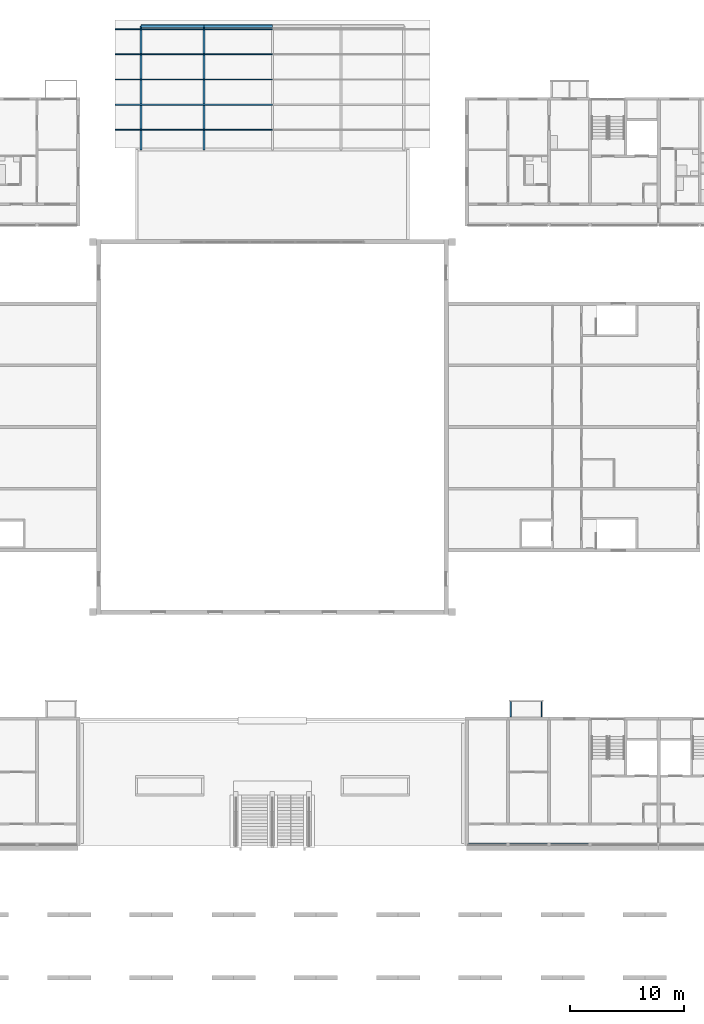
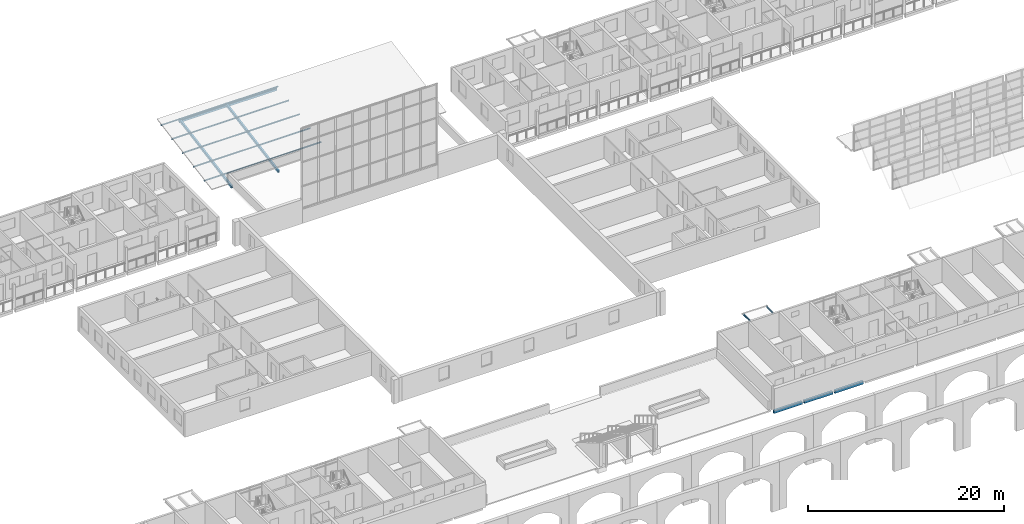
# One storey, part 20 of 122: 9 beams, 5 members.
"""IFC4 building model written with IfcOpenShell, lengths in metres."""

from ifc_helpers import new_model, si_unit, direction, frame, origin, origin_2d, place, context, subcontext, project, spatial, rectangle, hollow_rectangle, i_section, extrude, material, material_profile, profile_set, type_object, element, save


model = new_model("IFC4")

# Units and contexts
model_context = context("Model", 3, precision=1e-05, world=origin(), true_north=direction((0.0, 1.0)))
body_context = subcontext(model_context, "Body", "Model", "MODEL_VIEW")
ifc_project = project(units=[si_unit("LENGTHUNIT", "METRE"), si_unit("AREAUNIT", "SQUARE_METRE"), si_unit("VOLUMEUNIT", "CUBIC_METRE"), si_unit("PLANEANGLEUNIT", "RADIAN"), si_unit("MASSUNIT", "GRAM", prefix="KILO")], contexts=[model_context])

# Site, building, storey
site_placement = place(None, origin())
site = spatial("IfcSite", under=ifc_project, at=site_placement, CompositionType="ELEMENT")
building_placement = place(site_placement, origin())
building = spatial("IfcBuilding", under=site, at=building_placement, Name="Ridgestep Commons", CompositionType="ELEMENT")
storey_placement = place(building_placement, frame((0.0, 0.0, 3.0)))
storey = spatial("IfcBuildingStorey", under=building, at=storey_placement, Name="L01", CompositionType="ELEMENT", Elevation=3.0)

# Beams
ifc_material_1 = material(Name="Structural steel S355JR", Category="steel")
ifc_material_profile_1 = material_profile(ifc_material_1, hollow_rectangle(XDim=0.199951171875, YDim=0.300048828125, WallThickness=0.010009765625, at=origin_2d()), Name="RHS 300x200x10")
ifc_profile_set_1 = profile_set([ifc_material_profile_1], Name="Structural steel S355JR")
beam_type_1 = type_object("IfcBeamType", Name="Canopy beam RHS 300 x 200 x 10", PredefinedType="BEAM", material=ifc_profile_set_1)
beam_1_placement = place(storey_placement, frame((118.300048828125, 83.505615234375, 2.382568359375), z_axis=(1.0, 0.0, 0.0), x_axis=(0.0, 0.984422707775, 0.175817895609)))
element("IfcBeam", 1, at=beam_1_placement, inside=storey, type_object=beam_type_1, Name="Canopy front beam", PredefinedType="BEAM", context=body_context, shape_type="SweptSolid", body=[
    extrude(hollow_rectangle(XDim=0.199951171875, YDim=0.300048828125, WallThickness=0.010009765625, at=origin_2d()), origin(), (0.0, 0.0, 1.0), 5.5),
])
beam_2_placement = place(storey_placement, frame((123.800048828125, 83.505615234375, 2.382568359375), z_axis=(1.0, 0.0, 0.0), x_axis=(0.0, 0.984422707775, 0.175817895609)))
element("IfcBeam", 2, at=beam_2_placement, inside=storey, type_object=beam_type_1, Name="Canopy front beam", PredefinedType="BEAM", context=body_context, shape_type="SweptSolid", body=[
    extrude(hollow_rectangle(XDim=0.199951171875, YDim=0.300048828125, WallThickness=0.010009765625, at=origin_2d()), origin(), (0.0, 0.0, 1.0), 6.0),
])
for number, where, z_axis, x_axis, name in (
    (3, (118.300048828125, 72.672607421875, 0.75244140625), (0.0, 0.98442302805, 0.175816102349), (-1.0, 0.0, 0.0), "Canopy main beam"),
    (4, (123.800048828125, 72.672607421875, 0.75244140625), (0.0, 0.98442302805, 0.175816102349), (-1.0, 0.0, 0.0), "Canopy main beam"),
):
    element("IfcBeam", number, at=place(storey_placement, frame(where, z_axis=z_axis, x_axis=x_axis)), inside=storey, type_object=beam_type_1, Name=name, PredefinedType="BEAM", context=body_context, shape_type="SweptSolid", body=[
        extrude(hollow_rectangle(XDim=0.199951171875, YDim=0.300048828125, WallThickness=0.010009765625, at=origin_2d()), origin(), (0.0, 0.0, 1.0), 10.95068359375),
    ])

# Members
ifc_material_2 = material(Name="Structural steel S355JR", Category="steel")
ifc_material_profile_2 = material_profile(ifc_material_2, hollow_rectangle(XDim=0.10009765625, YDim=0.14990234375, WallThickness=0.006103515625, at=origin_2d()), Name="RHS 150x100x6")
ifc_profile_set_2 = profile_set([ifc_material_profile_2], Name="Structural steel S355JR")
member_type = type_object("IfcMemberType", Name="Canopy purlin RHS 150 x 100 x 6", PredefinedType="PURLIN", material=ifc_profile_set_2)
for number, where, z_axis, x_axis, name in (
    (5, (116.0, 74.4130859375, 1.2919921875), (1.0, 0.0, 0.0), (0.0, 0.984422707775, 0.175817895609), "Canopy purlin"),
    (6, (116.0, 76.61328125, 1.684814453125), (1.0, 0.0, 0.0), (0.0, 0.984422707775, 0.175817895609), "Canopy purlin"),
    (7, (116.0, 78.813232421875, 2.077880859375), (1.0, 0.0, 0.0), (0.0, 0.984422707775, 0.175817895609), "Canopy purlin"),
    (8, (116.0, 81.01318359375, 2.470703125), (1.0, 0.0, 0.0), (0.0, 0.984422707775, 0.175817895609), "Canopy purlin"),
    (9, (116.0, 83.213134765625, 2.863525390625), (1.0, 0.0, 0.0), (0.0, 0.984422707775, 0.175817895609), "Canopy purlin"),
):
    element("IfcMember", number, at=place(storey_placement, frame(where, z_axis=z_axis, x_axis=x_axis)), inside=storey, type_object=member_type, Name=name, PredefinedType="PURLIN", context=body_context, shape_type="SweptSolid", body=[
        extrude(hollow_rectangle(XDim=0.10009765625, YDim=0.14990234375, WallThickness=0.006103515625, at=origin_2d()), origin(), (0.0, 0.0, 1.0), 13.800048828125),
    ])

# Beams
ifc_material_3 = material(Name="Precast concrete C40/50", Category="concrete")
ifc_material_profile_3 = material_profile(ifc_material_3, rectangle(XDim=0.25, YDim=0.35009765625, at=origin_2d()), Name="PC 250x350")
ifc_profile_set_3 = profile_set([ifc_material_profile_3], Name="Precast concrete C40/50")
beam_type_2 = type_object("IfcBeamType", Name="Loggia edge beam 250 x 350", PredefinedType="SPANDREL", material=ifc_profile_set_3)
beam_3_placement = place(storey_placement, frame((146.949951171875, 11.875, -0.375), z_axis=(1.0, 0.0, 0.0), x_axis=(0.0, 1.0, 0.0)))
element("IfcBeam", 10, at=beam_3_placement, inside=storey, type_object=beam_type_2, Name="Loggia edge beam D1T1 L01", PredefinedType="SPANDREL", context=body_context, shape_type="SweptSolid", body=[
    extrude(rectangle(XDim=0.25, YDim=0.35009765625, at=origin_2d()), origin(), (0.0, 0.0, 1.0), 3.324951171875),
])
for number, where, z_axis, x_axis, name in (
    (11, (150.52490234375, 11.875, -0.375), (1.0, 0.0, 0.0), (0.0, 1.0, 0.0), "Loggia edge beam D1T2 L01"),
    (12, (154.125, 11.875, -0.375), (1.0, 0.0, 0.0), (0.0, 1.0, 0.0), "Loggia edge beam D1T3 L01"),
):
    element("IfcBeam", number, at=place(storey_placement, frame(where, z_axis=z_axis, x_axis=x_axis)), inside=storey, type_object=beam_type_2, Name=name, PredefinedType="SPANDREL", context=body_context, shape_type="SweptSolid", body=[
        extrude(rectangle(XDim=0.25, YDim=0.35009765625, at=origin_2d()), origin(), (0.0, 0.0, 1.0), 3.35009765625),
    ])
ifc_material_4 = material(Name="Weathering steel S355J2W", Category="steel")
ifc_material_profile_4 = material_profile(ifc_material_4, i_section(OverallWidth=0.101806640625, OverallDepth=0.203125, WebThickness=0.00537109375, FlangeThickness=0.00927734375, FilletRadius=0.007568359375, at=origin_2d()), Name="UB 203x102x23")
ifc_profile_set_4 = profile_set([ifc_material_profile_4], Name="Weathering steel S355J2W")
beam_type_3 = type_object("IfcBeamType", Name="Tray arm UB 203x102x23", PredefinedType="BEAM", material=ifc_profile_set_4)
for number, where, z_axis, x_axis, name in (
    (13, (150.64990234375, 23.014892578125, 2.888427734375), (0.0, 1.0, 0.0), (-1.0, 0.0, 0.0), "Tray arm D1T2-02.1"),
    (14, (153.35009765625, 23.014892578125, 2.888427734375), (0.0, 1.0, 0.0), (-1.0, 0.0, 0.0), "Tray arm D1T2-02.2"),
):
    element("IfcBeam", number, at=place(storey_placement, frame(where, z_axis=z_axis, x_axis=x_axis)), inside=storey, type_object=beam_type_3, Name=name, PredefinedType="BEAM", context=body_context, shape_type="SweptSolid", body=[
        extrude(i_section(OverallWidth=0.101806640625, OverallDepth=0.203125, WebThickness=0.00537109375, FlangeThickness=0.00927734375, FilletRadius=0.007568359375, at=origin_2d()), origin(), (0.0, 0.0, 1.0), 1.364990234375),
    ])

save(model, "model.ifc")
